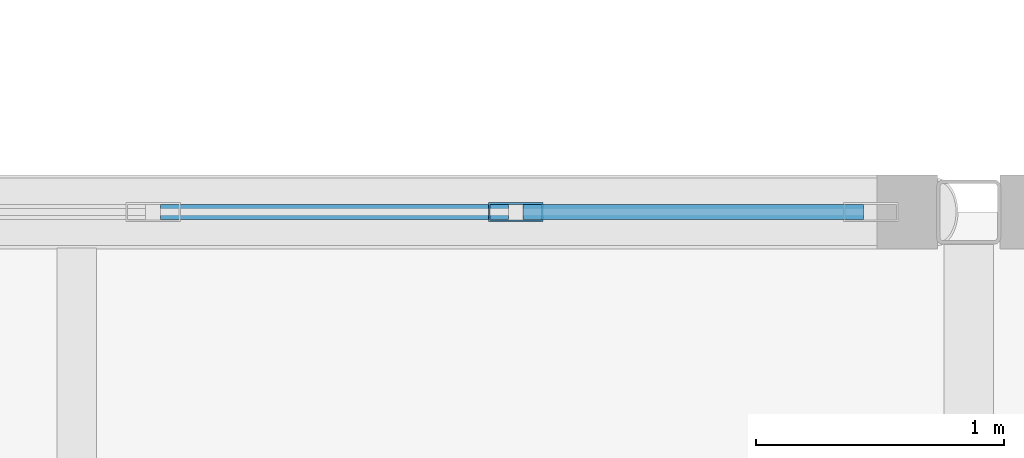
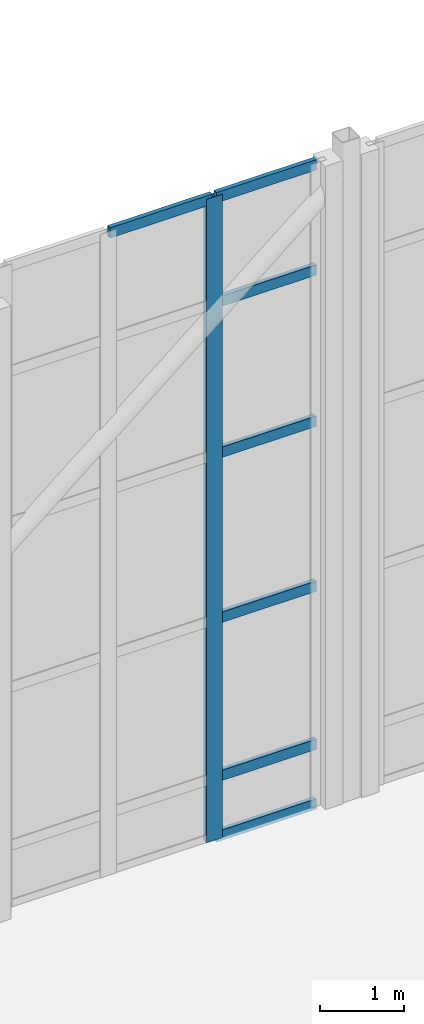
# One storey, part 48 of 100: 8 members, 1 element without a shape of its own.
"""IFC4 building model written with IfcOpenShell, lengths in metres."""

from ifc_helpers import new_model, si_unit, direction, frame, origin, origin_2d, place, context, subcontext, project, spatial, hollow_rectangle, extrude, material, layer, layer_set, material_profile, profile_set, type_object, element, aggregate, save


model = new_model("IFC4")

# Units and contexts
model_context = context("Model", 3, precision=1e-05, world=origin(), true_north=direction((0.0, 1.0)))
body_context = subcontext(model_context, "Body", "Model", "MODEL_VIEW")
ifc_project = project(units=[si_unit("LENGTHUNIT", "METRE"), si_unit("AREAUNIT", "SQUARE_METRE"), si_unit("VOLUMEUNIT", "CUBIC_METRE"), si_unit("PLANEANGLEUNIT", "RADIAN"), si_unit("MASSUNIT", "GRAM", prefix="KILO")], contexts=[model_context])

# Site, building, storey
site_placement = place(None, origin())
site = spatial("IfcSite", under=ifc_project, at=site_placement, CompositionType="ELEMENT")
building_placement = place(site_placement, origin())
building = spatial("IfcBuilding", under=site, at=building_placement, Name="Tasgan Crest Museum", CompositionType="ELEMENT")
storey_placement = place(building_placement, frame((0.0, 0.0, 14.39990234375)))
storey = spatial("IfcBuildingStorey", under=building, at=storey_placement, Name="L03", CompositionType="ELEMENT", Elevation=14.39990234375)

# Curtain wall, members
ifc_material_1 = material(Name="Triple-Glazed Aluminium Curtain Wall", Category="aluminium")
ifc_layer = layer(ifc_material_1, 0.179931640625, Name="CW-GAL-X-96")
ifc_layer_set = layer_set([ifc_layer], Name="Triple-Glazed Aluminium Curtain Wall")
curtain_wall_type = type_object("IfcCurtainWallType", Name="CW-GAL-X-96", PredefinedType="NOTDEFINED", material=ifc_layer_set)
curtain_wall_placement = place(storey_placement, origin())
curtain_wall = element("IfcCurtainWall", 1, at=curtain_wall_placement, inside=storey, type_object=curtain_wall_type, Name="Curtain wall L03 133", PredefinedType="NOTDEFINED")
ifc_material_2 = material(Name="Anodised Aluminium", Category="aluminium")
ifc_material_profile_1 = material_profile(ifc_material_2, hollow_rectangle(XDim=0.074951171875, YDim=0.219970703125, WallThickness=0.006103515625, at=origin_2d()), Name="ALU MULLION 220x75x6")
ifc_profile_set_1 = profile_set([ifc_material_profile_1], Name="Anodised Aluminium")
member_type_1 = type_object("IfcMemberType", Name="CW-MULLION-220", PredefinedType="MULLION", material=ifc_profile_set_1)
member_1_placement = place(storey_placement, frame((30.57177734375, 112.0, 0.0), z_axis=(0.0, 0.0, 1.0), x_axis=(0.0, -1.0, 0.0)))
member_1 = element("IfcMember", 2, at=member_1_placement, type_object=member_type_1, Name="CW14 mullion 2", PredefinedType="MULLION", context=body_context, shape_type="SweptSolid", body=[
    extrude(hollow_rectangle(XDim=0.074951171875, YDim=0.219970703125, WallThickness=0.006103515625, at=origin_2d()), origin(), (0.0, 0.0, 1.0), 9.360107421875),
])
ifc_material_3 = material(Name="Anodised Aluminium", Category="aluminium")
ifc_material_profile_2 = material_profile(ifc_material_3, hollow_rectangle(XDim=0.06005859375, YDim=0.14990234375, WallThickness=0.0048828125, at=origin_2d()), Name="ALU TRANSOM 150x60x5")
ifc_profile_set_2 = profile_set([ifc_material_profile_2], Name="Anodised Aluminium")
member_type_2 = type_object("IfcMemberType", Name="CW-TRANSOM-150", PredefinedType="USERDEFINED", material=ifc_profile_set_2)
member_2_placement = place(storey_placement, frame((31.97509765625, 112.0, 0.030029296875), z_axis=(-1.0, 0.0, 0.0), x_axis=(0.0, -1.0, 0.0)))
member_2 = element("IfcMember", 3, at=member_2_placement, type_object=member_type_2, Name="CW14 transom 1.1", ObjectType="TRANSOM", PredefinedType="USERDEFINED", context=body_context, shape_type="SweptSolid", body=[
    extrude(hollow_rectangle(XDim=0.06005859375, YDim=0.14990234375, WallThickness=0.0048828125, at=origin_2d()), origin(), (0.0, 0.0, 1.0), 1.37353515625),
])
member_3_placement = place(storey_placement, frame((31.97509765625, 112.0, 0.900146484375), z_axis=(-1.0, 0.0, 0.0), x_axis=(0.0, -1.0, 0.0)))
member_3 = element("IfcMember", 4, at=member_3_placement, type_object=member_type_2, Name="CW14 transom 1.2", ObjectType="TRANSOM", PredefinedType="USERDEFINED", context=body_context, shape_type="SweptSolid", body=[
    extrude(hollow_rectangle(XDim=0.06005859375, YDim=0.14990234375, WallThickness=0.0048828125, at=origin_2d()), origin(), (0.0, 0.0, 1.0), 1.37353515625),
])
member_4_placement = place(storey_placement, frame((31.97509765625, 112.0, 3.2001953125), z_axis=(-1.0, 0.0, 0.0), x_axis=(0.0, -1.0, 0.0)))
member_4 = element("IfcMember", 5, at=member_4_placement, type_object=member_type_2, Name="CW14 transom 1.3", ObjectType="TRANSOM", PredefinedType="USERDEFINED", context=body_context, shape_type="SweptSolid", body=[
    extrude(hollow_rectangle(XDim=0.06005859375, YDim=0.14990234375, WallThickness=0.0048828125, at=origin_2d()), origin(), (0.0, 0.0, 1.0), 1.37353515625),
])
member_5_placement = place(storey_placement, frame((31.97509765625, 112.0, 5.60009765625), z_axis=(-1.0, 0.0, 0.0), x_axis=(0.0, -1.0, 0.0)))
member_5 = element("IfcMember", 6, at=member_5_placement, type_object=member_type_2, Name="CW14 transom 1.4", ObjectType="TRANSOM", PredefinedType="USERDEFINED", context=body_context, shape_type="SweptSolid", body=[
    extrude(hollow_rectangle(XDim=0.06005859375, YDim=0.14990234375, WallThickness=0.0048828125, at=origin_2d()), origin(), (0.0, 0.0, 1.0), 1.37353515625),
])
member_6_placement = place(storey_placement, frame((31.97509765625, 112.0, 7.800048828125), z_axis=(-1.0, 0.0, 0.0), x_axis=(0.0, -1.0, 0.0)))
member_6 = element("IfcMember", 7, at=member_6_placement, type_object=member_type_2, Name="CW14 transom 1.5", ObjectType="TRANSOM", PredefinedType="USERDEFINED", context=body_context, shape_type="SweptSolid", body=[
    extrude(hollow_rectangle(XDim=0.06005859375, YDim=0.14990234375, WallThickness=0.0048828125, at=origin_2d()), origin(), (0.0, 0.0, 1.0), 1.37353515625),
])
member_7_placement = place(storey_placement, frame((31.97509765625, 112.0, 9.330078125), z_axis=(-1.0, 0.0, 0.0), x_axis=(0.0, -1.0, 0.0)))
member_7 = element("IfcMember", 8, at=member_7_placement, type_object=member_type_2, Name="CW14 transom 1.6", ObjectType="TRANSOM", PredefinedType="USERDEFINED", context=body_context, shape_type="SweptSolid", body=[
    extrude(hollow_rectangle(XDim=0.06005859375, YDim=0.14990234375, WallThickness=0.0048828125, at=origin_2d()), origin(), (0.0, 0.0, 1.0), 1.37353515625),
])
member_8_placement = place(storey_placement, frame((30.541748046875, 112.0, 9.330078125), z_axis=(-1.0, 0.0, 0.0), x_axis=(0.0, -1.0, 0.0)))
member_8 = element("IfcMember", 9, at=member_8_placement, type_object=member_type_2, Name="CW14 transom 2.6", ObjectType="TRANSOM", PredefinedType="USERDEFINED", context=body_context, shape_type="SweptSolid", body=[
    extrude(hollow_rectangle(XDim=0.06005859375, YDim=0.14990234375, WallThickness=0.0048828125, at=origin_2d()), origin(), (0.0, 0.0, 1.0), 1.4033203125),
])
aggregate(curtain_wall, [member_1, member_2, member_3, member_4, member_5, member_6, member_7, member_8])

save(model, "model.ifc")
